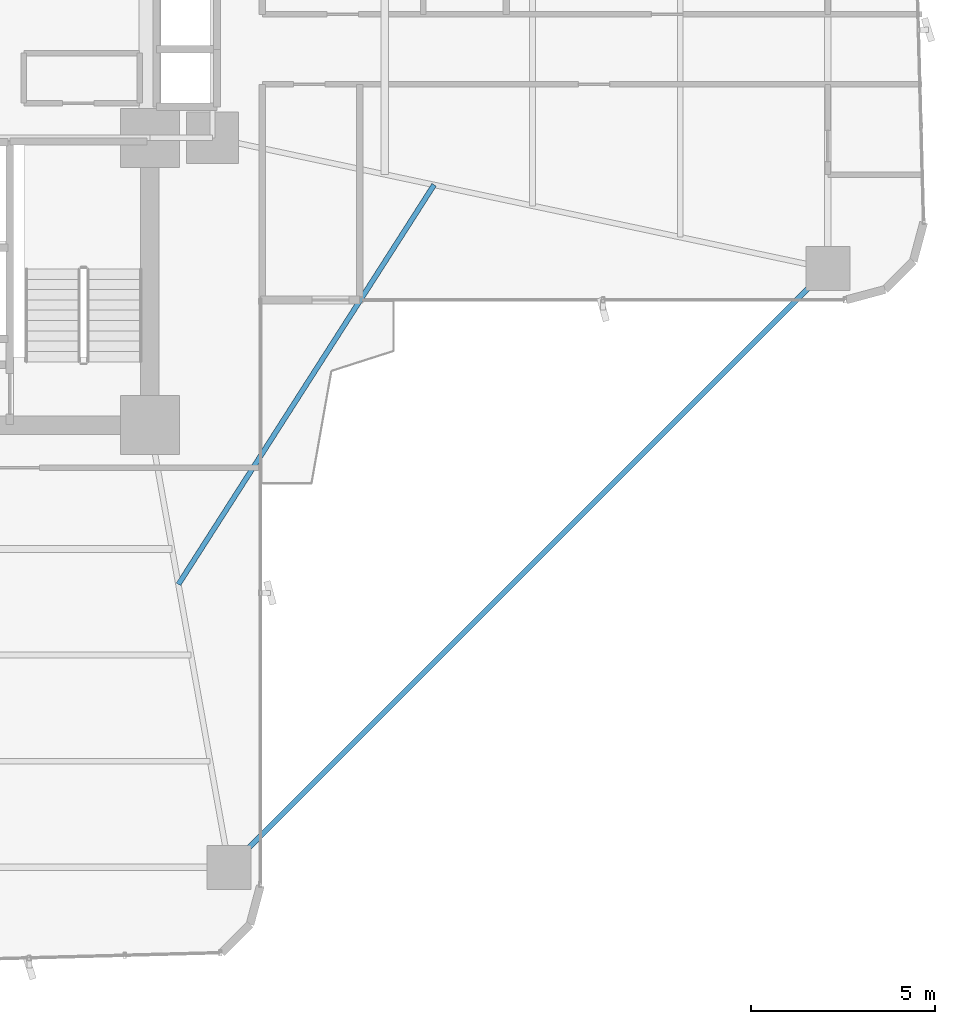
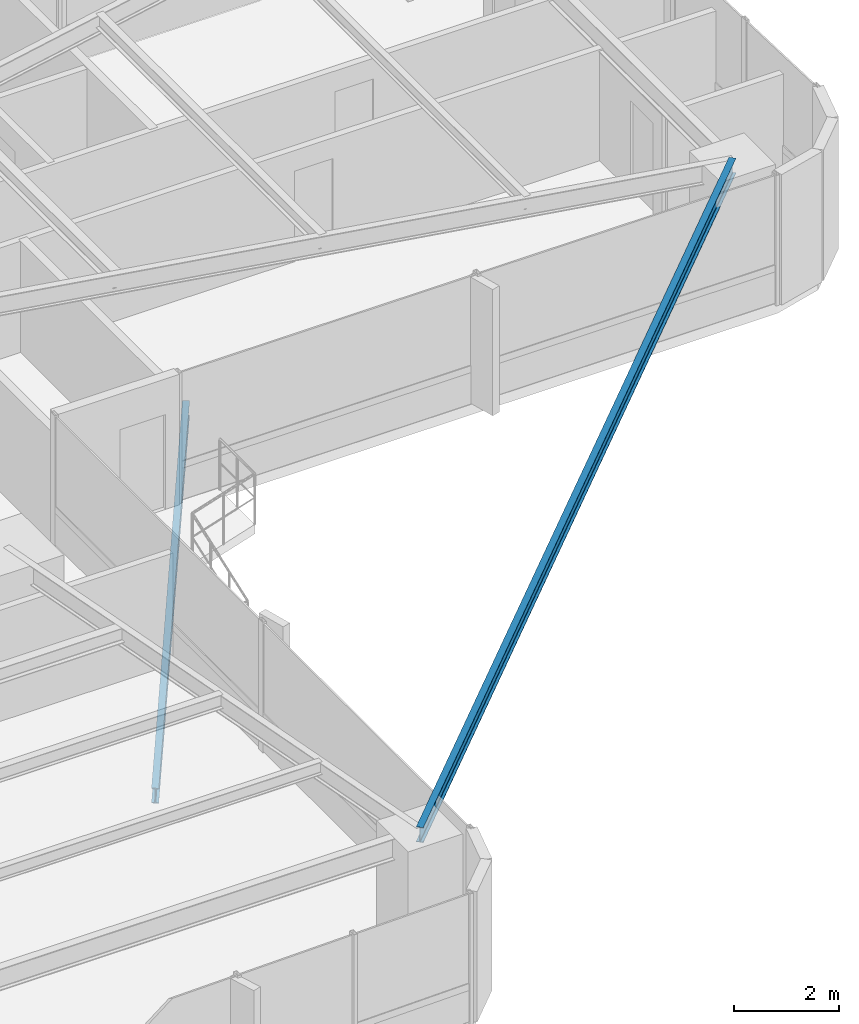
# One storey, part 13 of 25: 2 beams.
"""IFC4 building model written with IfcOpenShell, lengths in metres."""

from ifc_helpers import new_model, si_unit, direction, frame, origin, origin_2d, place, context, subcontext, project, spatial, i_section, extrude, source, transform, mapped, material, material_profile, profile_set, type_object, element, save


model = new_model("IFC4")

# Units and contexts
model_context = context("Model", 3, precision=1e-05, world=origin(), true_north=direction((0.0, 1.0)))
body_context = subcontext(model_context, "Body", "Model", "MODEL_VIEW")
ifc_project = project(units=[si_unit("LENGTHUNIT", "METRE"), si_unit("AREAUNIT", "SQUARE_METRE"), si_unit("VOLUMEUNIT", "CUBIC_METRE"), si_unit("PLANEANGLEUNIT", "RADIAN"), si_unit("MASSUNIT", "GRAM", prefix="KILO")], contexts=[model_context])

# Site, building, storey
site_placement = place(None, origin())
site = spatial("IfcSite", under=ifc_project, at=site_placement, CompositionType="ELEMENT")
building_placement = place(site_placement, origin())
building = spatial("IfcBuilding", under=site, at=building_placement, Name="Sahyath Konkavel Grand Hotel", CompositionType="ELEMENT")
storey_placement = place(building_placement, frame((0.0, 0.0, 71.14990234375)))
storey = spatial("IfcBuildingStorey", under=building, at=storey_placement, Name="L19", CompositionType="ELEMENT", Elevation=71.14990234375)

# Beams
ifc_material = material(Name="Steel E350", Category="steel")
ifc_material_profile_1 = material_profile(ifc_material, i_section(OverallWidth=0.139892578125, OverallDepth=0.35009765625, WebThickness=0.008056640625, FlangeThickness=0.01416015625, FilletRadius=0.013916015625, at=origin_2d()), Name="ISMB 350")
ifc_profile_set_1 = profile_set([ifc_material_profile_1], Name="Steel E350")
beam_type_1 = type_object("IfcBeamType", Name="BM-ISMB350", PredefinedType="BEAM", material=ifc_profile_set_1)
shared_shape_1 = source(origin(), body_context, "Body", "SweptSolid", [
    extrude(i_section(OverallWidth=0.139892578125, OverallDepth=0.35009765625, WebThickness=0.008056640625, FlangeThickness=0.01416015625, FilletRadius=0.013916015625, at=origin_2d()), origin(), (0.0, 0.0, 1.0), 22.98095703125),
])
beam_1_placement = place(storey_placement, frame((22.199951171875, -5.949951171875, 2.85498046875), z_axis=(-0.707106781187, -0.707106781187, 0.0), x_axis=(0.707106781187, -0.707106781187, 0.0)))
element("IfcBeam", 1, at=beam_1_placement, inside=storey, type_object=beam_type_1, Name="L19 Re-Entrant Tie Beam SE", PredefinedType="BEAM", context=body_context, shape_type="MappedRepresentation", body=[
    mapped(shared_shape_1, transform((0.0, 0.0, 0.0), scale=1.0)),
])
ifc_material_profile_2 = material_profile(ifc_material, i_section(OverallWidth=0.139892578125, OverallDepth=0.35009765625, WebThickness=0.008056640625, FlangeThickness=0.01416015625, FilletRadius=0.013916015625, at=origin_2d()), Name="ISMB 350")
ifc_profile_set_2 = profile_set([ifc_material_profile_2], Name="Steel E350")
beam_type_2 = type_object("IfcBeamType", Name="BM-BALC-CANT", PredefinedType="BEAM", material=ifc_profile_set_2)
shared_shape_2 = source(origin(), body_context, "Body", "SweptSolid", [
    extrude(i_section(OverallWidth=0.139892578125, OverallDepth=0.35009765625, WebThickness=0.008056640625, FlangeThickness=0.01416015625, FilletRadius=0.013916015625, at=origin_2d()), origin(), (0.0, 0.0, 1.0), 12.871826171875),
])
beam_2_placement = place(storey_placement, frame((4.573974609375, -14.52001953125, -0.414794921875), z_axis=(0.539003102535, 0.842303778608, 0.0), x_axis=(-0.842303778608, 0.539003102535, 0.0)))
element("IfcBeam", 2, at=beam_2_placement, inside=storey, type_object=beam_type_2, Name="L19 Balcony Cantilever Support Beam SE", PredefinedType="BEAM", context=body_context, shape_type="MappedRepresentation", body=[
    mapped(shared_shape_2, transform((0.0, 0.0, 0.0), scale=1.0)),
])

save(model, "model.ifc")
